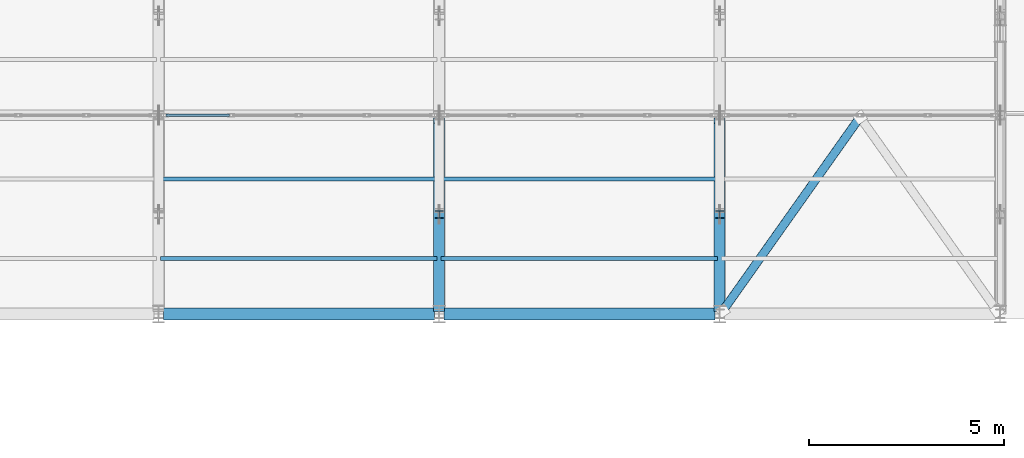
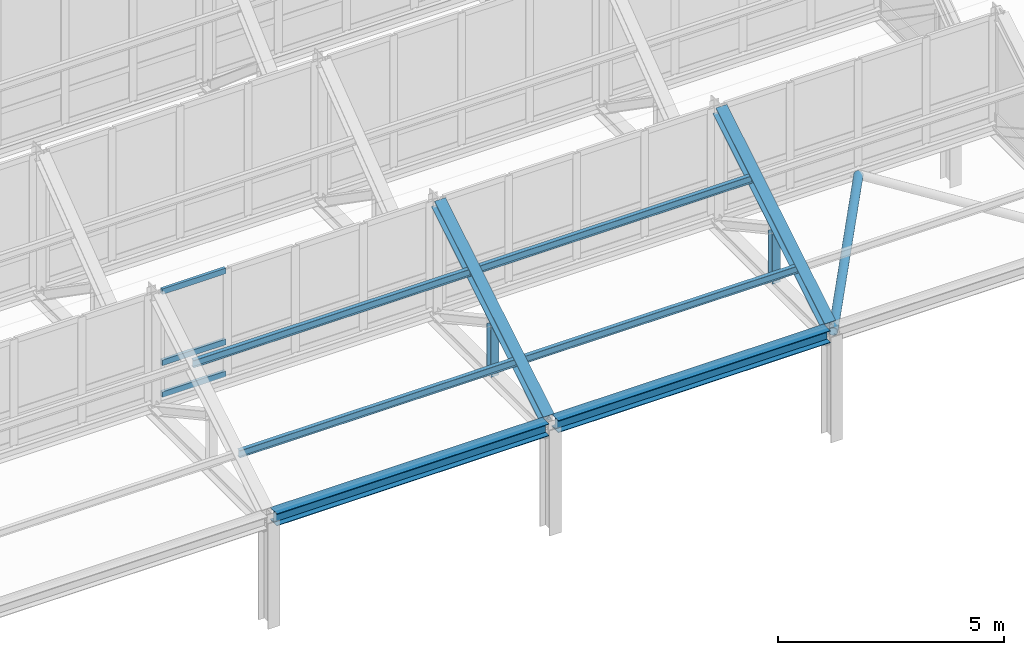
# One storey, part 28 of 157: 12 members, 2 beams, 1 element without a shape of its own.
"""IFC4 building model written with IfcOpenShell, lengths in metres."""

from ifc_helpers import new_model, si_unit, direction, frame, origin, origin_2d, place, context, subcontext, project, spatial, hollow_rectangle, hollow_circle, i_section, extrude, material, material_profile, profile_set, type_object, element, aggregate, save


model = new_model("IFC4")

# Units and contexts
model_context = context("Model", 3, precision=1e-05, world=origin(), true_north=direction((0.0, 1.0)))
body_context = subcontext(model_context, "Body", "Model", "MODEL_VIEW")
ifc_project = project(units=[si_unit("LENGTHUNIT", "METRE"), si_unit("AREAUNIT", "SQUARE_METRE"), si_unit("VOLUMEUNIT", "CUBIC_METRE"), si_unit("PLANEANGLEUNIT", "RADIAN"), si_unit("MASSUNIT", "GRAM", prefix="KILO")], contexts=[model_context])

# Site, building, storey
site_placement = place(None, origin())
site = spatial("IfcSite", under=ifc_project, at=site_placement, CompositionType="ELEMENT")
building_placement = place(site_placement, origin())
building = spatial("IfcBuilding", under=site, at=building_placement, Name="Suanplinth Sawtooth Commons", CompositionType="ELEMENT")
storey_placement = place(building_placement, frame((0.0, 0.0, 9.0)))
storey = spatial("IfcBuildingStorey", under=building, at=storey_placement, Name="L02", CompositionType="ELEMENT", Elevation=9.0)

# Beams
ifc_material_1 = material(Name="Steel S355JR", Category="steel")
ifc_material_profile_1 = material_profile(ifc_material_1, i_section(OverallWidth=0.300048828125, OverallDepth=0.330078125, WebThickness=0.009521484375, FlangeThickness=0.0166015625, at=origin_2d()), Name="HEA 340")
ifc_profile_set_1 = profile_set([ifc_material_profile_1], Name="Steel S355JR")
beam_type = type_object("IfcBeamType", Name="B-15", PredefinedType="USERDEFINED", material=ifc_profile_set_1)
for number, where, z_axis, x_axis, name in (
    (1, (93.719970703125, 50.39990234375, 2.820068359375), (1.0, 0.0, 0.0), (0.0, 1.0, 0.0), "Sawtooth Valley Girder T1-B5"),
    (2, (100.919921875, 50.39990234375, 2.820068359375), (1.0, 0.0, 0.0), (0.0, 1.0, 0.0), "Sawtooth Valley Girder T1-B6"),
):
    element("IfcBeam", number, at=place(storey_placement, frame(where, z_axis=z_axis, x_axis=x_axis)), inside=storey, type_object=beam_type, Name=name, ObjectType="GIRDER", PredefinedType="USERDEFINED", context=body_context, shape_type="SweptSolid", body=[
        extrude(i_section(OverallWidth=0.300048828125, OverallDepth=0.330078125, WebThickness=0.009521484375, FlangeThickness=0.0166015625, at=origin_2d()), origin(), (0.0, 0.0, 1.0), 6.9599609375),
    ])

# Members
ifc_material_profile_2 = material_profile(ifc_material_1, i_section(OverallWidth=0.280029296875, OverallDepth=0.280029296875, WebThickness=0.010498046875, FlangeThickness=0.01806640625, at=origin_2d()), Name="HEB 280")
ifc_profile_set_2 = profile_set([ifc_material_profile_2], Name="Steel S355JR")
member_type_1 = type_object("IfcMemberType", Name="M-02", PredefinedType="CHORD", material=ifc_profile_set_2)
for number, where, z_axis, x_axis, name in (
    (3, (100.800048828125, 50.5400390625, 2.919921875), (0.0, 0.855283356021, 0.51816057445), (-1.0, 0.0, 0.0), "Sawtooth Truss T6 Top Chord 1"),
    (4, (108.0, 50.5400390625, 2.919921875), (0.0, 0.855283356021, 0.51816057445), (-1.0, 0.0, 0.0), "Sawtooth Truss T7 Top Chord 1"),
):
    element("IfcMember", number, at=place(storey_placement, frame(where, z_axis=z_axis, x_axis=x_axis)), inside=storey, type_object=member_type_1, Name=name, PredefinedType="CHORD", context=body_context, shape_type="SweptSolid", body=[
        extrude(i_section(OverallWidth=0.280029296875, OverallDepth=0.280029296875, WebThickness=0.010498046875, FlangeThickness=0.01806640625, at=origin_2d()), origin(), (0.0, 0.0, 1.0), 5.6357421875),
    ])
ifc_material_profile_3 = material_profile(ifc_material_1, i_section(OverallWidth=0.199951171875, OverallDepth=0.18994140625, WebThickness=0.006591796875, FlangeThickness=0.010009765625, at=origin_2d()), Name="HEA 200")
ifc_profile_set_3 = profile_set([ifc_material_profile_3], Name="Steel S355JR")
member_type_2 = type_object("IfcMemberType", Name="M-04", PredefinedType="BRACE", material=ifc_profile_set_3)
for number, where, z_axis, x_axis, name in (
    (5, (100.800048828125, 52.949951171875, 2.64990234375), (0.0, 0.0, 1.0), (1.0, 0.0, 0.0), "Sawtooth Truss T6 Mid Web Post 1"),
    (6, (108.0, 52.949951171875, 2.64990234375), (0.0, 0.0, 1.0), (1.0, 0.0, 0.0), "Sawtooth Truss T7 Mid Web Post 1"),
):
    element("IfcMember", number, at=place(storey_placement, frame(where, z_axis=z_axis, x_axis=x_axis)), inside=storey, type_object=member_type_2, Name=name, PredefinedType="BRACE", context=body_context, shape_type="SweptSolid", body=[
        extrude(i_section(OverallWidth=0.199951171875, OverallDepth=0.18994140625, WebThickness=0.006591796875, FlangeThickness=0.010009765625, at=origin_2d()), origin(), (0.0, 0.0, 1.0), 1.35009765625),
    ])
ifc_material_2 = material(Name="Steel SS400", Category="steel")
ifc_material_profile_4 = material_profile(ifc_material_2, i_section(OverallWidth=0.10009765625, OverallDepth=0.199951171875, WebThickness=0.005615234375, FlangeThickness=0.008544921875, at=origin_2d()), Name="IPE 200")
ifc_profile_set_4 = profile_set([ifc_material_profile_4], Name="Steel SS400")
member_type_3 = type_object("IfcMemberType", Name="M-06", PredefinedType="PURLIN", material=ifc_profile_set_4)
for number, where, z_axis, x_axis, name in (
    (7, (93.64990234375, 51.827880859375, 3.691162109375), (1.0, 0.0, 0.0), (0.0, 1.0, 0.0), "Sawtooth Roof Purlin T1-B5-P1"),
    (8, (93.64990234375, 53.867919921875, 4.89111328125), (1.0, 0.0, 0.0), (0.0, 1.0, 0.0), "Sawtooth Roof Purlin T1-B5-P2"),
):
    element("IfcMember", number, at=place(storey_placement, frame(where, z_axis=z_axis, x_axis=x_axis)), inside=storey, type_object=member_type_3, Name=name, PredefinedType="PURLIN", context=body_context, shape_type="SweptSolid", body=[
        extrude(i_section(OverallWidth=0.10009765625, OverallDepth=0.199951171875, WebThickness=0.005615234375, FlangeThickness=0.008544921875, at=origin_2d()), origin(), (0.0, 0.0, 1.0), 7.10009765625),
    ])
for number, where, z_axis, x_axis, name in (
    (9, (100.85009765625, 51.827880859375, 3.691162109375), (1.0, 0.0, 0.0), (0.0, 1.0, 0.0), "Sawtooth Roof Purlin T1-B6-P1"),
    (10, (100.85009765625, 53.867919921875, 4.89111328125), (1.0, 0.0, 0.0), (0.0, 1.0, 0.0), "Sawtooth Roof Purlin T1-B6-P2"),
):
    element("IfcMember", number, at=place(storey_placement, frame(where, z_axis=z_axis, x_axis=x_axis)), inside=storey, type_object=member_type_3, Name=name, PredefinedType="PURLIN", context=body_context, shape_type="SweptSolid", body=[
        extrude(i_section(OverallWidth=0.10009765625, OverallDepth=0.199951171875, WebThickness=0.005615234375, FlangeThickness=0.008544921875, at=origin_2d()), origin(), (0.0, 0.0, 1.0), 7.099853515625),
    ])
ifc_material_profile_5 = material_profile(ifc_material_1, hollow_circle(Radius=0.109619140625, WallThickness=0.010009765625, at=origin_2d()), Name="CHS 219.1x10")
ifc_profile_set_5 = profile_set([ifc_material_profile_5], Name="Steel S355JR")
member_type_4 = type_object("IfcMemberType", Name="M-08", PredefinedType="BRACE", material=ifc_profile_set_5)
member_1_placement = place(storey_placement, frame((108.080078125, 50.47998046875, 2.75), z_axis=(0.577976187019, 0.816053630125, 0.0), x_axis=(-0.816053630125, 0.577976187019, 0.0)))
element("IfcMember", 11, at=member_1_placement, inside=storey, type_object=member_type_4, Name="Sawtooth Roof Plan Brace B7-1", PredefinedType="BRACE", context=body_context, shape_type="SweptSolid", body=[
    extrude(hollow_circle(Radius=0.109619140625, WallThickness=0.010009765625, at=origin_2d()), origin(), (0.0, 0.0, 1.0), 6.09033203125),
])

# Curtain wall, members
ifc_material_3 = material(Name="Anodized aluminium and low-E glazing", Category="aluminium")
curtain_wall_type = type_object("IfcCurtainWallType", Name="CW-03", PredefinedType="USERDEFINED", material=ifc_material_3)
curtain_wall_placement = place(storey_placement, origin())
curtain_wall = element("IfcCurtainWall", 12, at=curtain_wall_placement, inside=storey, type_object=curtain_wall_type, Name="Curtain Wall CW-SAW-T1-B5", ObjectType="CURTAIN WALL", PredefinedType="USERDEFINED")
ifc_material_4 = material(Name="Anodized aluminium 6063-T6", Category="aluminium")
ifc_material_profile_6 = material_profile(ifc_material_4, hollow_rectangle(XDim=0.074951171875, YDim=0.14990234375, WallThickness=0.00439453125, at=origin_2d()), Name="ALU-TRN 75x150")
ifc_profile_set_6 = profile_set([ifc_material_profile_6], Name="Anodized aluminium 6063-T6")
member_type_5 = type_object("IfcMemberType", Name="M-16", PredefinedType="USERDEFINED", material=ifc_profile_set_6)
member_2_placement = place(storey_placement, frame((93.794921875, 55.5, 3.017578125), z_axis=(1.0, 0.0, 0.0), x_axis=(0.0, 1.0, 0.0)))
member_2 = element("IfcMember", 13, at=member_2_placement, type_object=member_type_5, Name="CW-03 transom 1.1", ObjectType="TRANSOM", PredefinedType="USERDEFINED", context=body_context, shape_type="SweptSolid", body=[
    extrude(hollow_rectangle(XDim=0.074951171875, YDim=0.14990234375, WallThickness=0.00439453125, at=origin_2d()), origin(), (0.0, 0.0, 1.0), 1.627685546875),
])
member_3_placement = place(storey_placement, frame((93.794921875, 55.5, 3.8798828125), z_axis=(1.0, 0.0, 0.0), x_axis=(0.0, 1.0, 0.0)))
member_3 = element("IfcMember", 14, at=member_3_placement, type_object=member_type_5, Name="CW-03 transom 1.2", ObjectType="TRANSOM", PredefinedType="USERDEFINED", context=body_context, shape_type="SweptSolid", body=[
    extrude(hollow_rectangle(XDim=0.074951171875, YDim=0.14990234375, WallThickness=0.00439453125, at=origin_2d()), origin(), (0.0, 0.0, 1.0), 1.627685546875),
])
member_4_placement = place(storey_placement, frame((93.794921875, 55.5, 5.802490234375), z_axis=(1.0, 0.0, 0.0), x_axis=(0.0, 1.0, 0.0)))
member_4 = element("IfcMember", 15, at=member_4_placement, type_object=member_type_5, Name="CW-03 transom 1.3", ObjectType="TRANSOM", PredefinedType="USERDEFINED", context=body_context, shape_type="SweptSolid", body=[
    extrude(hollow_rectangle(XDim=0.074951171875, YDim=0.14990234375, WallThickness=0.00439453125, at=origin_2d()), origin(), (0.0, 0.0, 1.0), 1.627685546875),
])
aggregate(curtain_wall, [member_2, member_3, member_4])

save(model, "model.ifc")
